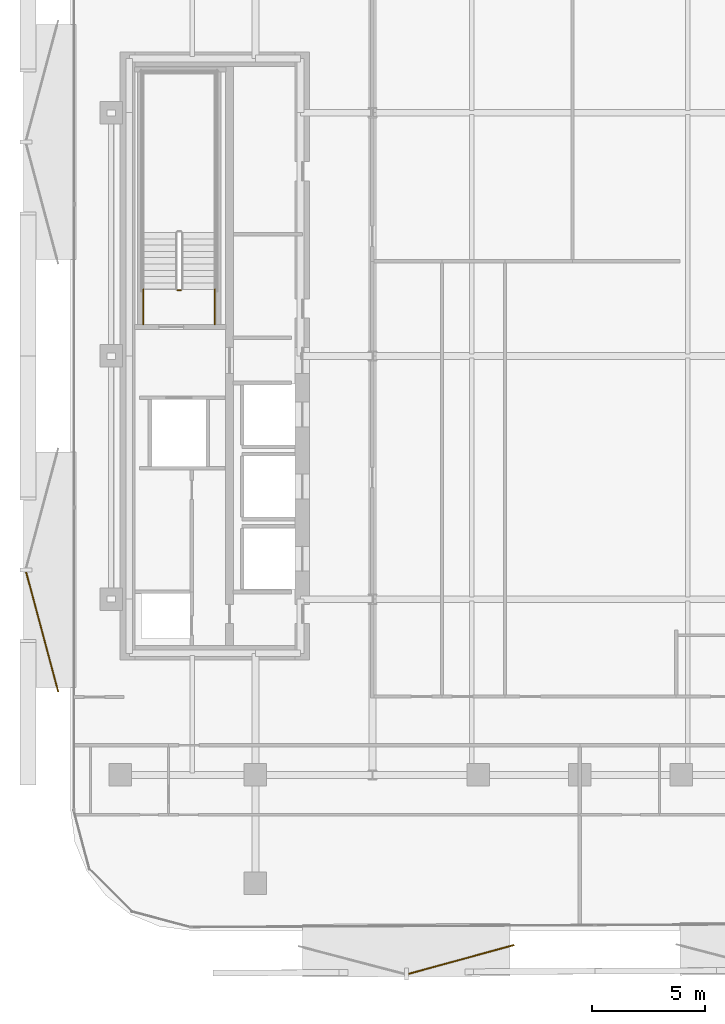
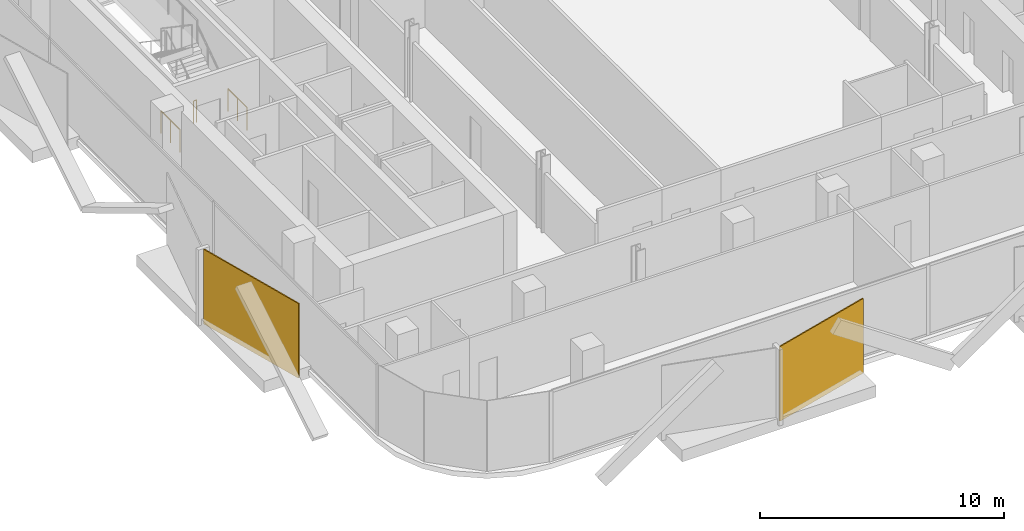
# One storey, part 12 of 16: 3 railings, 2 coverings.
"""IFC4 building model written with IfcOpenShell, lengths in metres."""

from ifc_helpers import new_model, si_unit, direction, frame, origin, origin_2d, place, context, subcontext, project, spatial, rectangle, circle, extrude, material, layer, layer_set, type_object, element, save


model = new_model("IFC4")

# Units and contexts
model_context = context("Model", 3, precision=1e-05, world=origin(), true_north=direction((0.0, 1.0)))
body_context = subcontext(model_context, "Body", "Model", "MODEL_VIEW")
ifc_project = project(units=[si_unit("LENGTHUNIT", "METRE"), si_unit("AREAUNIT", "SQUARE_METRE"), si_unit("VOLUMEUNIT", "CUBIC_METRE"), si_unit("PLANEANGLEUNIT", "RADIAN"), si_unit("MASSUNIT", "GRAM", prefix="KILO")], contexts=[model_context])

# Site, building, storey
site_placement = place(None, origin())
site = spatial("IfcSite", under=ifc_project, at=site_placement, CompositionType="ELEMENT")
building_placement = place(site_placement, origin())
building = spatial("IfcBuilding", under=site, at=building_placement, Name="Khairoan Windgate Tower", CompositionType="ELEMENT")
storey_placement = place(building_placement, frame((0.0, 0.0, 206.800048828125)))
storey = spatial("IfcBuildingStorey", under=building, at=storey_placement, Name="L48", CompositionType="ELEMENT", Elevation=206.800048828125)

# Coverings
ifc_material_1 = material(Name="Anodised Bronze Aluminium 6063-T6", Category="aluminium")
ifc_layer = layer(ifc_material_1, 0.054931640625, Name="Anodised Bronze Aluminium 6063-T6")
ifc_layer_set = layer_set([ifc_layer], Name="Anodised Bronze Aluminium 6063-T6")
covering_type = type_object("IfcCoveringType", Name="Perforated Bronze-Ceramic Folded Solar Screen Cladding BSC-1", PredefinedType="CLADDING", material=ifc_layer_set)
covering_1_placement = place(storey_placement, frame((-5.264404296875, -26.791748046875, -0.10009765625), z_axis=(0.0, 0.0, 1.0), x_axis=(-0.964649468762, -0.263536339841, 0.0)))
element("IfcCovering", 1, at=covering_1_placement, inside=storey, type_object=covering_type, Name="L48 Folded Bronze Solar Screen Facet 322L", PredefinedType="CLADDING", context=body_context, shape_type="SweptSolid", body=[
    extrude(rectangle(XDim=4.861083984375, YDim=0.054931640625, at=origin_2d()), origin(), (0.0, 0.0, 1.0), 3.739990234375),
])
covering_2_placement = place(storey_placement, frame((-23.8671875, -12.2451171875, -0.10009765625), z_axis=(0.0, 0.0, 1.0), x_axis=(-0.258819045103, 0.965925826289, 0.0)))
element("IfcCovering", 2, at=covering_2_placement, inside=storey, type_object=covering_type, Name="L48 Folded Bronze Solar Screen Facet 323L", PredefinedType="CLADDING", context=body_context, shape_type="SweptSolid", body=[
    extrude(rectangle(XDim=5.507080078125, YDim=0.054931640625, at=origin_2d()), origin(), (0.0, 0.0, 1.0), 3.739990234375),
])

# Railings
ifc_material_2 = material(Name="Steel S355", Category="steel")
railing_type = type_object("IfcRailingType", Name="Stairwell Safety Guardrail SGR-1150", PredefinedType="GUARDRAIL", material=ifc_material_2)
railing_placement = place(storey_placement, frame((-17.7099609375, 2.909912109375, 0.0)))
element("IfcRailing", 3, at=railing_placement, inside=storey, type_object=railing_type, Name="L48 ST2 stair guard 7", PredefinedType="GUARDRAIL", context=body_context, shape_type="SweptSolid", body=[
    extrude(circle(Radius=0.02392578125, at=origin_2d()), frame((0.0, 0.0, 1.1259765625), z_axis=(-1.0, 0.0, 0.0), x_axis=(0.0, -1.0, 0.0)), (0.0, 0.0, 1.0), 0.150146484375),
    extrude(circle(Radius=0.02099609375, at=origin_2d()), origin(), (0.0, 0.0, 1.0), 1.101806640625),
    extrude(circle(Radius=0.02099609375, at=origin_2d()), frame((-0.150146484375, 0.0, 0.0)), (0.0, 0.0, 1.0), 1.101806640625),
])
for number, where, name in (
    (4, (-16.199951171875, 1.39990234375, 0.0), "L48 ST2 stair guard 8"),
    (5, (-19.3701171875, 1.39990234375, 0.0), "L48 ST2 stair guard 9"),
):
    element("IfcRailing", number, at=place(storey_placement, frame(where)), inside=storey, type_object=railing_type, Name=name, PredefinedType="GUARDRAIL", context=body_context, shape_type="SweptSolid", body=[
        extrude(circle(Radius=0.02392578125, at=origin_2d()), frame((0.0, 0.0, 1.1259765625), z_axis=(0.0, 1.0, 0.0), x_axis=(-1.0, 0.0, 0.0)), (0.0, 0.0, 1.0), 1.56005859375),
        extrude(circle(Radius=0.02099609375, at=origin_2d()), origin(), (0.0, 0.0, 1.0), 1.101806640625),
        extrude(circle(Radius=0.02099609375, at=origin_2d()), frame((0.0, 0.780029296875, 0.0)), (0.0, 0.0, 1.0), 1.101806640625),
        extrude(circle(Radius=0.02099609375, at=origin_2d()), frame((0.0, 1.56005859375, 0.0)), (0.0, 0.0, 1.0), 1.101806640625),
    ])

save(model, "model.ifc")
